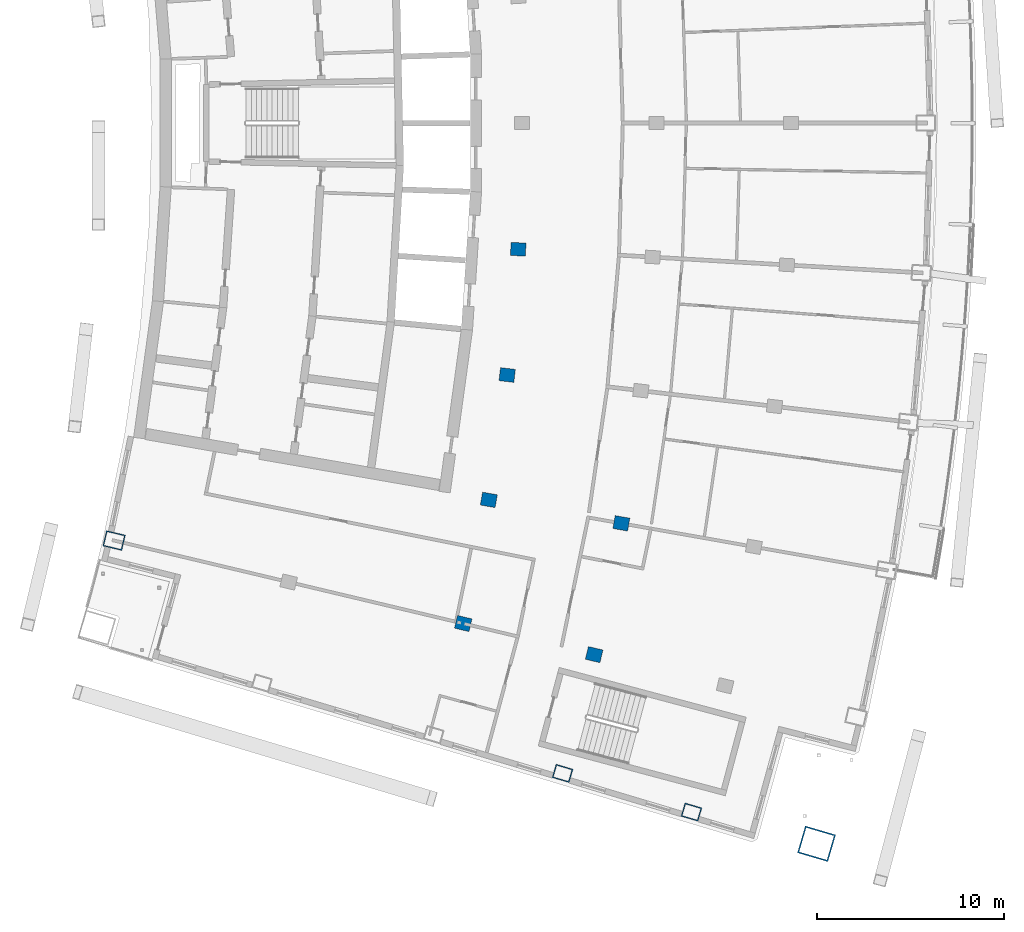
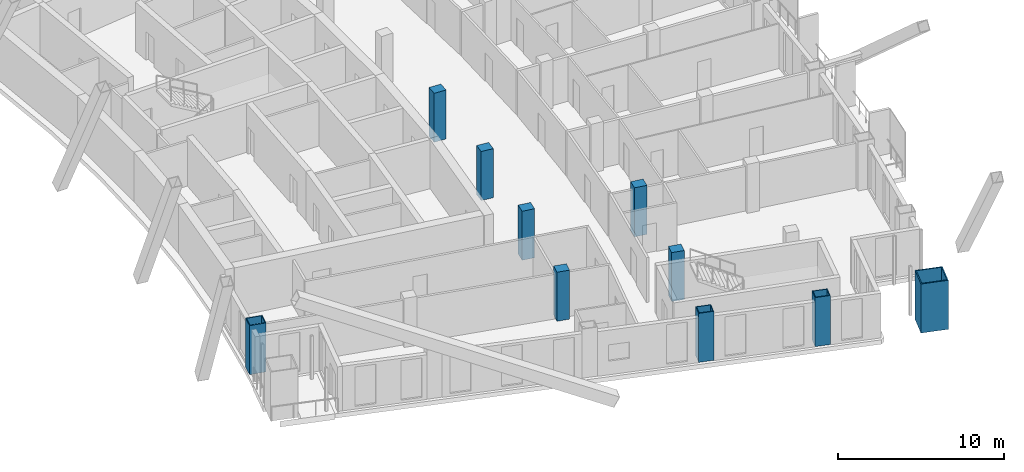
# One storey, part 2 of 19: 10 columns.
"""IFC4 building model written with IfcOpenShell, lengths in metres."""

from ifc_helpers import new_model, si_unit, direction, frame, origin, origin_2d, place, context, subcontext, project, spatial, rectangle, hollow_rectangle, extrude, material, material_profile, profile_set, type_object, element, save


model = new_model("IFC4")

# Units and contexts
model_context = context("Model", 3, precision=1e-05, world=origin(), true_north=direction((0.0, 1.0)))
body_context = subcontext(model_context, "Body", "Model", "MODEL_VIEW")
ifc_project = project(units=[si_unit("LENGTHUNIT", "METRE"), si_unit("AREAUNIT", "SQUARE_METRE"), si_unit("VOLUMEUNIT", "CUBIC_METRE"), si_unit("PLANEANGLEUNIT", "RADIAN"), si_unit("MASSUNIT", "GRAM", prefix="KILO")], contexts=[model_context])

# Site, building, storey
site_placement = place(None, origin())
site = spatial("IfcSite", under=ifc_project, at=site_placement, CompositionType="ELEMENT")
building_placement = place(site_placement, origin())
building = spatial("IfcBuilding", under=site, at=building_placement, Name="Alderwake Tower", CompositionType="ELEMENT")
storey_placement = place(building_placement, frame((0.0, 0.0, 221.60009765625)))
storey = spatial("IfcBuildingStorey", under=building, at=storey_placement, Name="L55", CompositionType="ELEMENT", Elevation=221.60009765625)

# Columns
ifc_material_1 = material(Name="Steel ASTM A572 Grade 50 concrete filled C70/85", Category="concrete")
ifc_material_profile_1 = material_profile(ifc_material_1, hollow_rectangle(XDim=0.75, YDim=0.949951171875, WallThickness=0.054931640625, at=origin_2d()), Name="BOX 950X750X55")
ifc_profile_set_1 = profile_set([ifc_material_profile_1], Name="Steel ASTM A572 Grade 50 concrete filled C70/85")
column_type_1 = type_object("IfcColumnType", Name="End column Z4", PredefinedType="COLUMN", material=ifc_profile_set_1)
for number, where, z_axis, x_axis, name in (
    (1, (37.976318359375, 26.20654296875, 0.0), (0.0, 0.0, 1.0), (0.282873846689, 0.959157123134, 0.0), "Column R02-C3"),
    (2, (44.872314453125, 24.13623046875, 0.0), (0.0, 0.0, 1.0), (0.283131639396, 0.959081057457, 0.0), "Column R02-C4"),
):
    element("IfcColumn", number, at=place(storey_placement, frame(where, z_axis=z_axis, x_axis=x_axis)), inside=storey, type_object=column_type_1, Name=name, PredefinedType="COLUMN", context=body_context, shape_type="SweptSolid", body=[
        extrude(hollow_rectangle(XDim=0.75, YDim=0.949951171875, WallThickness=0.054931640625, at=origin_2d()), origin(), (0.0, 0.0, 1.0), 3.599853515625),
    ])
ifc_material_2 = material(Name="Concrete C70/85", Category="concrete")
ifc_material_profile_2 = material_profile(ifc_material_2, rectangle(XDim=0.699951171875, YDim=0.800048828125, at=origin_2d()), Name="RC 800X700")
ifc_profile_set_2 = profile_set([ifc_material_profile_2], Name="Concrete C70/85")
column_type_2 = type_object("IfcColumnType", Name="Interior column Z4", PredefinedType="COLUMN", material=ifc_profile_set_2)
for number, where, z_axis, x_axis, name in (
    (3, (32.661865234375, 34.224609375, 0.0), (0.0, 0.0, 1.0), (0.231221547198, 0.972901123502, 0.0), "Column R03-C2"),
    (4, (39.666748046875, 32.559814453125, 0.0), (0.0, 0.0, 1.0), (0.231221547198, 0.972901123502, 0.0), "Column R03-C3"),
    (5, (34.03125, 40.83837890625, 0.0), (0.0, 0.0, 1.0), (0.174108800747, 0.984726421654, 0.0), "Column R04-C2"),
    (6, (41.121337890625, 39.584716796875, 0.0), (0.0, 0.0, 1.0), (0.174108800747, 0.984726421654, 0.0), "Column R04-C3"),
    (7, (35.0126953125, 47.5205078125, 0.0), (0.0, 0.0, 1.0), (0.116402054316, 0.993202175668, 0.0), "Column R05-C2"),
    (8, (35.60302734375, 54.248779296875, 0.0), (0.0, 0.0, 1.0), (0.058301061284, 0.998299046505, 0.0), "Column R06-C2"),
):
    element("IfcColumn", number, at=place(storey_placement, frame(where, z_axis=z_axis, x_axis=x_axis)), inside=storey, type_object=column_type_2, Name=name, PredefinedType="COLUMN", context=body_context, shape_type="SweptSolid", body=[
        extrude(rectangle(XDim=0.699951171875, YDim=0.800048828125, at=origin_2d()), origin(), (0.0, 0.0, 1.0), 3.599853515625),
    ])
ifc_material_3 = material(Name="Steel ASTM A572 Grade 50 concrete filled C70/85", Category="concrete")
ifc_material_profile_3 = material_profile(ifc_material_3, hollow_rectangle(XDim=1.5, YDim=1.699951171875, WallThickness=0.074951171875, at=origin_2d()), Name="BOX 1700X1500X75")
ifc_profile_set_3 = profile_set([ifc_material_profile_3], Name="Steel ASTM A572 Grade 50 concrete filled C70/85")
column_type_3 = type_object("IfcColumnType", Name="Mega column Z4", PredefinedType="COLUMN", material=ifc_profile_set_3)
column_1_placement = place(storey_placement, frame((51.565185546875, 22.43798828125, 0.0), z_axis=(0.0, 0.0, 1.0), x_axis=(0.281269716931, 0.959628754435, 0.0)))
element("IfcColumn", 9, at=column_1_placement, inside=storey, type_object=column_type_3, Name="Column R02-C5", PredefinedType="COLUMN", context=body_context, shape_type="SweptSolid", body=[
    extrude(hollow_rectangle(XDim=1.5, YDim=1.699951171875, WallThickness=0.074951171875, at=origin_2d()), origin(), (0.0, 0.0, 1.0), 3.599853515625),
])
ifc_material_4 = material(Name="Steel ASTM A572 Grade 50 concrete filled C70/85", Category="concrete")
ifc_material_profile_4 = material_profile(ifc_material_4, hollow_rectangle(XDim=0.85009765625, YDim=1.050048828125, WallThickness=0.054931640625, at=origin_2d()), Name="BOX 1050X850X55")
ifc_profile_set_4 = profile_set([ifc_material_profile_4], Name="Steel ASTM A572 Grade 50 concrete filled C70/85")
column_type_4 = type_object("IfcColumnType", Name="Perimeter column Z4", PredefinedType="COLUMN", material=ifc_profile_set_4)
column_2_placement = place(storey_placement, frame((13.982177734375, 38.6640625, 0.0), z_axis=(0.0, 0.0, 1.0), x_axis=(0.231221547198, 0.972901123502, 0.0)))
element("IfcColumn", 10, at=column_2_placement, inside=storey, type_object=column_type_4, Name="Column R03-C0", PredefinedType="COLUMN", context=body_context, shape_type="SweptSolid", body=[
    extrude(hollow_rectangle(XDim=0.85009765625, YDim=1.050048828125, WallThickness=0.054931640625, at=origin_2d()), origin(), (0.0, 0.0, 1.0), 3.599853515625),
])

save(model, "model.ifc")
